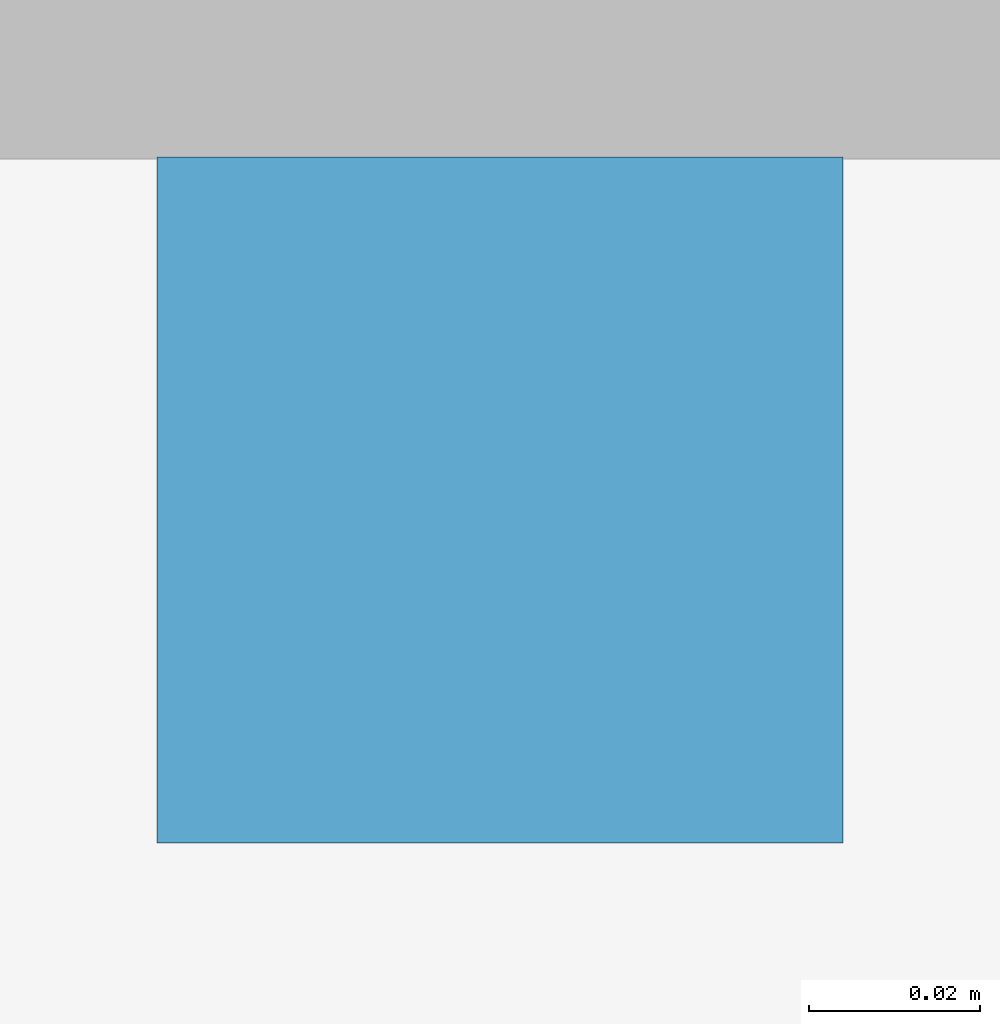
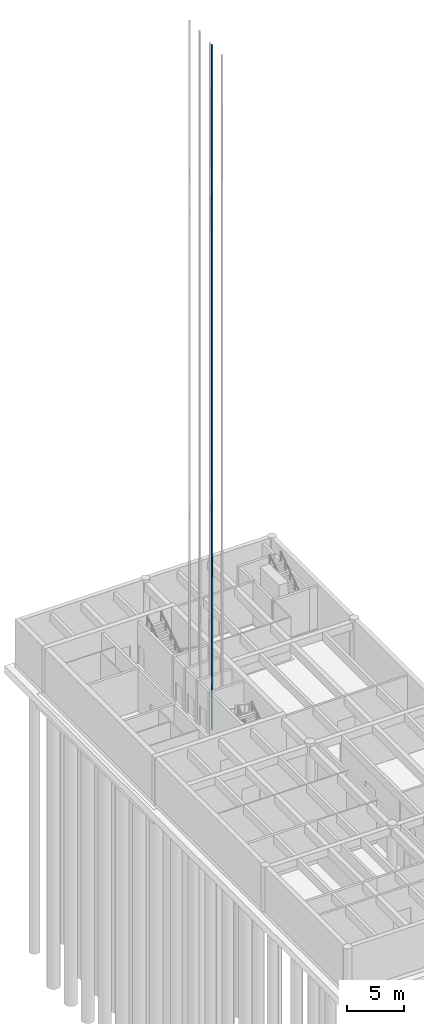
# One storey, part 16 of 24: 1 building element part.
"""IFC4 building model written with IfcOpenShell, lengths in metres."""

from ifc_helpers import new_model, si_unit, direction, frame, origin, origin_2d, place, context, subcontext, project, spatial, rectangle, extrude, element, save


model = new_model("IFC4")

# Units and contexts
model_context = context("Model", 3, precision=1e-05, world=origin(), true_north=direction((0.0, 1.0)))
body_context = subcontext(model_context, "Body", "Model", "MODEL_VIEW")
ifc_project = project(units=[si_unit("LENGTHUNIT", "METRE"), si_unit("AREAUNIT", "SQUARE_METRE"), si_unit("VOLUMEUNIT", "CUBIC_METRE"), si_unit("PLANEANGLEUNIT", "RADIAN"), si_unit("MASSUNIT", "GRAM", prefix="KILO")], contexts=[model_context])

# Site, building, storey
site_placement = place(None, origin())
site = spatial("IfcSite", under=ifc_project, at=site_placement, CompositionType="ELEMENT")
building_placement = place(site_placement, origin())
building = spatial("IfcBuilding", under=site, at=building_placement, Name="Fogon Plaza Fire Station and Headquarters Tower", CompositionType="ELEMENT")
storey_placement = place(building_placement, frame((0.0, 0.0, -4.800048828125)))
storey = spatial("IfcBuildingStorey", under=building, at=storey_placement, Name="B1", CompositionType="ELEMENT", Elevation=-4.800048828125)

# Building element part
building_element_part_placement = place(storey_placement, frame((74.52490234375, 41.985107421875, -1.19970703125), z_axis=(0.0, 0.0, 1.0), x_axis=(1.0, 0.0, 0.0)))
element("IfcBuildingElementPart", 1, at=building_element_part_placement, inside=storey, Name="Guide rail LP3 2", ObjectType="Guide rail", PredefinedType="USERDEFINED", context=body_context, shape_type="SweptSolid", body=[
    extrude(rectangle(XDim=0.080078125, YDim=0.080078125, at=origin_2d()), origin(), (0.0, 0.0, 1.0), 73.199951171875),
])

save(model, "model.ifc")
